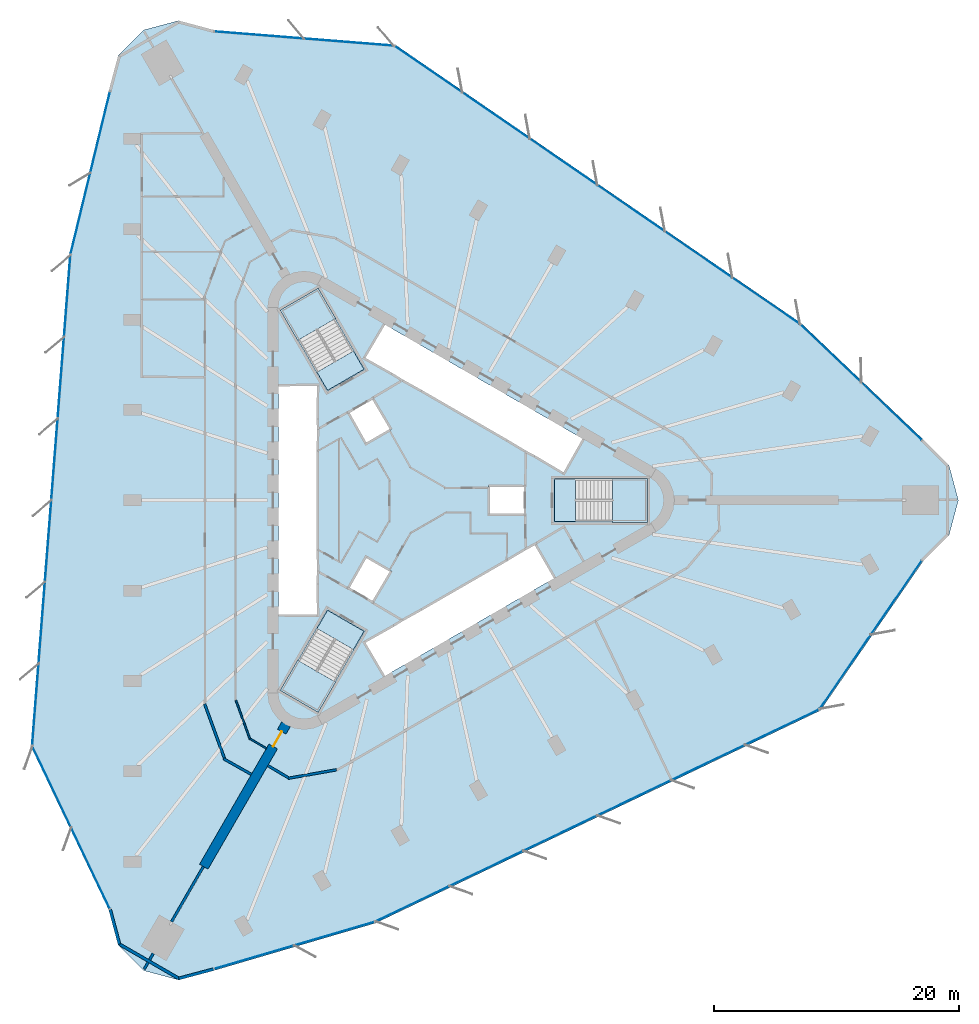
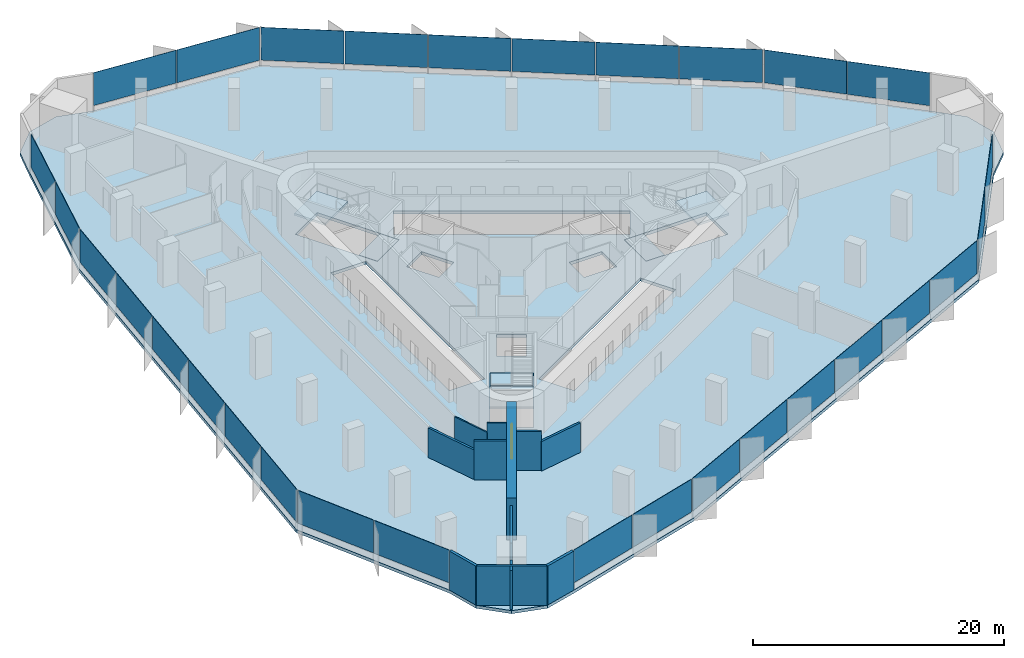
# One storey, part 8 of 14: 30 plates, 13 walls, 7 slabs, 1 door, 1 opening, 12 elements without a shape of their own.
"""IFC4 building model written with IfcOpenShell, lengths in metres."""

from ifc_helpers import new_model, si_unit, direction, frame, frame_2d, origin, origin_2d, place, context, subcontext, project, spatial, polyline, rectangle, outline, extrude, material, layer, layer_set, type_object, element, fill, aggregate, save


model = new_model("IFC4")

# Units and contexts
model_context = context("Model", 3, precision=1e-05, world=origin(), true_north=direction((0.0, 1.0)))
body_context = subcontext(model_context, "Body", "Model", "MODEL_VIEW")
ifc_project = project(units=[si_unit("LENGTHUNIT", "METRE"), si_unit("AREAUNIT", "SQUARE_METRE"), si_unit("VOLUMEUNIT", "CUBIC_METRE"), si_unit("PLANEANGLEUNIT", "RADIAN"), si_unit("MASSUNIT", "GRAM", prefix="KILO")], contexts=[model_context])

# Site, building, storey
site_placement = place(None, origin())
site = spatial("IfcSite", under=ifc_project, at=site_placement, CompositionType="ELEMENT")
building_placement = place(site_placement, origin())
building = spatial("IfcBuilding", under=site, at=building_placement, Name="Tanit Gate Tower", CompositionType="ELEMENT")
storey_placement = place(building_placement, frame((0.0, 0.0, 82.39990234375)))
storey = spatial("IfcBuildingStorey", under=building, at=storey_placement, Name="L16", CompositionType="ELEMENT", Elevation=82.39990234375)

# Slab
ifc_material_1 = material(Name="Concrete C35/45", Category="concrete")
ifc_layer_1 = layer(ifc_material_1, 0.300048828125)
ifc_layer_set_1 = layer_set([ifc_layer_1], Name="FLOOR SLAB 300 C35/45")
slab_type_1 = type_object("IfcSlabType", Name="FLOOR SLAB 300 C35/45", PredefinedType="FLOOR", material=ifc_layer_set_1)
slab_1_placement = place(storey_placement, frame((0.0, 0.0, -0.2998046875)))
element("IfcSlab", 1, at=slab_1_placement, inside=storey, type_object=slab_type_1, Name="FLOOR SLAB L16", PredefinedType="FLOOR", context=body_context, shape_type="SweptSolid", body=[
    extrude(outline(polyline([(41.55078125, 4.966796875), (43.64990234375, 2.86767578125), (44.41845703125, 0.0), (43.64990234375, -2.86767578125), (41.55078125, -4.966796875), (33.13671875, -17.19384765625), (-3.24462890625, -34.580810546875), (-16.473876953125, -38.46728515625), (-19.341552734375, -39.23583984375), (-22.209228515625, -38.46728515625), (-24.308349609375, -36.3681640625), (-25.076904296875, -33.50048828125), (-31.458740234375, -20.100341796875), (-28.32568359375, 20.100341796875), (-25.076904296875, 33.50048828125), (-24.308349609375, 36.3681640625), (-22.209228515625, 38.46728515625), (-19.341552734375, 39.23583984375), (-16.473876953125, 38.46728515625), (-1.677978515625, 37.294189453125), (31.5703125, 14.48046875), (41.55078125, 4.966796875)]), holes=[polyline([(11.3701171875, 1.72998046875), (18.929931640625, 1.72998046875), (18.929931640625, -1.72998046875), (11.3701171875, -1.72998046875), (11.3701171875, 1.72998046875)]), polyline([(-4.208984375, 11.60986328125), (-2.583984375, 14.424560546875), (13.783935546875, 4.974609375), (12.158935546875, 2.159912109375), (-4.208984375, 11.60986328125)]), polyline([(-4.208984375, -11.60986328125), (9.82080078125, -3.510009765625), (11.44580078125, -6.324462890625), (-2.583984375, -14.424560546875), (-4.208984375, -11.60986328125)]), polyline([(9.0, 1.199951171875), (9.0, -1.199951171875), (6.0, -1.199951171875), (6.0, 1.199951171875), (9.0, 1.199951171875)]), polyline([(-5.539306640625, 7.194091796875), (-3.460693359375, 8.394287109375), (-1.960693359375, 5.796142578125), (-4.039306640625, 4.59619140625), (-5.539306640625, 7.194091796875)]), polyline([(-1.960693359375, -5.796142578125), (-3.460693359375, -8.394287109375), (-5.539306640625, -7.194091796875), (-4.039306640625, -4.59619140625), (-1.960693359375, -5.796142578125)]), polyline([(-10.963134765625, 15.52880859375), (-7.966796875, 17.2587890625), (-4.186767578125, 10.711669921875), (-7.18310546875, 8.981689453125), (-10.963134765625, 15.52880859375)]), polyline([(-4.186767578125, -10.711669921875), (-7.966796875, -17.2587890625), (-10.963134765625, -15.52880859375), (-7.18310546875, -8.981689453125), (-4.186767578125, -10.711669921875)]), polyline([(-11.199951171875, -9.449951171875), (-11.199951171875, 9.449951171875), (-7.949951171875, 9.449951171875), (-7.949951171875, -9.449951171875), (-11.199951171875, -9.449951171875)])]), origin(), (0.0, 0.0, 1.0), 0.2998046875),
])

# Curtain wall, plates
ifc_material_2 = material(Name="Aluminium bronze anodised and glass", Category="aluminium")
curtain_wall_type = type_object("IfcCurtainWallType", Name="Curtain wall typical low", PredefinedType="NOTDEFINED", material=ifc_material_2)
curtain_wall_1_placement = place(storey_placement, origin())
curtain_wall_1 = element("IfcCurtainWall", 2, at=curtain_wall_1_placement, inside=storey, type_object=curtain_wall_type, Name="Curtain wall L16 NE1", PredefinedType="NOTDEFINED")
ifc_material_3 = material(Name="Glass tinted", Category="glass")
ifc_layer_2 = layer(ifc_material_3, 0.031982421875)
ifc_layer_set_2 = layer_set([ifc_layer_2], Name="Glass panel 32 typical low")
plate_type = type_object("IfcPlateType", Name="Glass panel 32 typical low", PredefinedType="CURTAIN_PANEL", material=ifc_layer_set_2)
plate_1_placement = place(storey_placement, frame((38.959228515625, 7.271240234375, 0.60009765625), z_axis=(0.0, 0.0, 1.0), x_axis=(-0.723833901773, 0.689974262306, 0.0)))
plate_1 = element("IfcPlate", 3, at=plate_1_placement, type_object=plate_type, Name="Glass panel L16 NE1.1", PredefinedType="CURTAIN_PANEL", context=body_context, shape_type="SweptSolid", body=[
    extrude(rectangle(XDim=6.768798828125, YDim=0.031982421875, at=origin_2d()), origin(), (0.0, 0.0, 1.0), 3.199951171875),
])
plate_2_placement = place(storey_placement, frame((34.001953125, 11.996826171875, 0.60009765625), z_axis=(0.0, 0.0, 1.0), x_axis=(-0.723833901773, 0.689974262306, 0.0)))
plate_2 = element("IfcPlate", 4, at=plate_2_placement, type_object=plate_type, Name="Glass panel L16 NE1.2", PredefinedType="CURTAIN_PANEL", context=body_context, shape_type="SweptSolid", body=[
    extrude(rectangle(XDim=6.768798828125, YDim=0.031982421875, at=origin_2d()), origin(), (0.0, 0.0, 1.0), 3.199951171875),
])
aggregate(curtain_wall_1, [plate_1, plate_2])

curtain_wall_2_placement = place(storey_placement, origin())
curtain_wall_2 = element("IfcCurtainWall", 5, at=curtain_wall_2_placement, inside=storey, type_object=curtain_wall_type, Name="Curtain wall L16 NE2", PredefinedType="NOTDEFINED")
plate_3_placement = place(storey_placement, frame((28.698974609375, 16.304931640625, 0.60009765625), z_axis=(0.0, 0.0, 1.0), x_axis=(-0.824556572821, 0.565779513784, 0.0)))
plate_3 = element("IfcPlate", 6, at=plate_3_placement, type_object=plate_type, Name="Glass panel L16 NE2.1", PredefinedType="CURTAIN_PANEL", context=body_context, shape_type="SweptSolid", body=[
    extrude(rectangle(XDim=6.6201171875, YDim=0.031982421875, at=origin_2d()), origin(), (0.0, 0.0, 1.0), 3.199951171875),
])
plate_4_placement = place(storey_placement, frame((23.17431640625, 20.095947265625, 0.60009765625), z_axis=(0.0, 0.0, 1.0), x_axis=(-0.824556572821, 0.565779513784, 0.0)))
plate_4 = element("IfcPlate", 7, at=plate_4_placement, type_object=plate_type, Name="Glass panel L16 NE2.2", PredefinedType="CURTAIN_PANEL", context=body_context, shape_type="SweptSolid", body=[
    extrude(rectangle(XDim=6.6201171875, YDim=0.031982421875, at=origin_2d()), origin(), (0.0, 0.0, 1.0), 3.199951171875),
])
plate_5_placement = place(storey_placement, frame((17.64990234375, 23.88671875, 0.60009765625), z_axis=(0.0, 0.0, 1.0), x_axis=(-0.824556572821, 0.565779513784, 0.0)))
plate_5 = element("IfcPlate", 8, at=plate_5_placement, type_object=plate_type, Name="Glass panel L16 NE2.3", PredefinedType="CURTAIN_PANEL", context=body_context, shape_type="SweptSolid", body=[
    extrude(rectangle(XDim=6.6201171875, YDim=0.031982421875, at=origin_2d()), origin(), (0.0, 0.0, 1.0), 3.199951171875),
])
plate_6_placement = place(storey_placement, frame((12.125244140625, 27.677490234375, 0.60009765625), z_axis=(0.0, 0.0, 1.0), x_axis=(-0.824556572821, 0.565779513784, 0.0)))
plate_6 = element("IfcPlate", 9, at=plate_6_placement, type_object=plate_type, Name="Glass panel L16 NE2.4", PredefinedType="CURTAIN_PANEL", context=body_context, shape_type="SweptSolid", body=[
    extrude(rectangle(XDim=6.6201171875, YDim=0.031982421875, at=origin_2d()), origin(), (0.0, 0.0, 1.0), 3.199951171875),
])
plate_7_placement = place(storey_placement, frame((6.6005859375, 31.46826171875, 0.60009765625), z_axis=(0.0, 0.0, 1.0), x_axis=(-0.824556572821, 0.565779513784, 0.0)))
plate_7 = element("IfcPlate", 10, at=plate_7_placement, type_object=plate_type, Name="Glass panel L16 NE2.5", PredefinedType="CURTAIN_PANEL", context=body_context, shape_type="SweptSolid", body=[
    extrude(rectangle(XDim=6.6201171875, YDim=0.031982421875, at=origin_2d()), origin(), (0.0, 0.0, 1.0), 3.199951171875),
])
plate_8_placement = place(storey_placement, frame((1.075927734375, 35.259033203125, 0.60009765625), z_axis=(0.0, 0.0, 1.0), x_axis=(-0.824556572821, 0.565779513784, 0.0)))
plate_8 = element("IfcPlate", 11, at=plate_8_placement, type_object=plate_type, Name="Glass panel L16 NE2.6", PredefinedType="CURTAIN_PANEL", context=body_context, shape_type="SweptSolid", body=[
    extrude(rectangle(XDim=6.6201171875, YDim=0.031982421875, at=origin_2d()), origin(), (0.0, 0.0, 1.0), 3.199951171875),
])
aggregate(curtain_wall_2, [plate_3, plate_4, plate_5, plate_6, plate_7, plate_8])

curtain_wall_3_placement = place(storey_placement, origin())
curtain_wall_3 = element("IfcCurtainWall", 12, at=curtain_wall_3_placement, inside=storey, type_object=curtain_wall_type, Name="Curtain wall L16 NE3", PredefinedType="NOTDEFINED")
plate_9_placement = place(storey_placement, frame((-5.43310546875, 37.4716796875, 0.60009765625), z_axis=(0.0, 0.0, 1.0), x_axis=(-0.99687105921, 0.079044868964, 0.0)))
plate_9 = element("IfcPlate", 13, at=plate_9_placement, type_object=plate_type, Name="Glass panel L16 NE3.1", PredefinedType="CURTAIN_PANEL", context=body_context, shape_type="SweptSolid", body=[
    extrude(rectangle(XDim=7.29052734375, YDim=0.031982421875, at=origin_2d()), origin(), (0.0, 0.0, 1.0), 3.199951171875),
])
plate_10_placement = place(storey_placement, frame((-12.78076171875, 38.05419921875, 0.60009765625), z_axis=(0.0, 0.0, 1.0), x_axis=(-0.99687105921, 0.079044868964, 0.0)))
plate_10 = element("IfcPlate", 14, at=plate_10_placement, type_object=plate_type, Name="Glass panel L16 NE3.2", PredefinedType="CURTAIN_PANEL", context=body_context, shape_type="SweptSolid", body=[
    extrude(rectangle(XDim=7.290771484375, YDim=0.031982421875, at=origin_2d()), origin(), (0.0, 0.0, 1.0), 3.199951171875),
])
aggregate(curtain_wall_3, [plate_9, plate_10])

curtain_wall_4_placement = place(storey_placement, origin())
curtain_wall_4 = element("IfcCurtainWall", 15, at=curtain_wall_4_placement, inside=storey, type_object=curtain_wall_type, Name="Curtain wall L16 W1", PredefinedType="NOTDEFINED")
plate_11_placement = place(storey_placement, frame((-25.77685546875, 30.10400390625, 0.60009765625), z_axis=(0.0, 0.0, 1.0), x_axis=(-0.235618288228, -0.971845678209, 0.0)))
plate_11 = element("IfcPlate", 16, at=plate_11_placement, type_object=plate_type, Name="Glass panel L16 W1.1", PredefinedType="CURTAIN_PANEL", context=body_context, shape_type="SweptSolid", body=[
    extrude(rectangle(XDim=6.768798828125, YDim=0.031982421875, at=origin_2d()), origin(), (0.0, 0.0, 1.0), 3.199951171875),
])
plate_12_placement = place(storey_placement, frame((-27.390380859375, 23.4482421875, 0.60009765625), z_axis=(0.0, 0.0, 1.0), x_axis=(-0.235618288228, -0.971845678209, 0.0)))
plate_12 = element("IfcPlate", 17, at=plate_12_placement, type_object=plate_type, Name="Glass panel L16 W1.2", PredefinedType="CURTAIN_PANEL", context=body_context, shape_type="SweptSolid", body=[
    extrude(rectangle(XDim=6.768798828125, YDim=0.031982421875, at=origin_2d()), origin(), (0.0, 0.0, 1.0), 3.199951171875),
])
aggregate(curtain_wall_4, [plate_11, plate_12])

curtain_wall_5_placement = place(storey_placement, origin())
curtain_wall_5 = element("IfcCurtainWall", 18, at=curtain_wall_5_placement, inside=storey, type_object=curtain_wall_type, Name="Curtain wall L16 W2", PredefinedType="NOTDEFINED")
plate_13_placement = place(storey_placement, frame((-28.47021484375, 16.70166015625, 0.60009765625), z_axis=(0.0, 0.0, 1.0), x_axis=(-0.077701145467, -0.996976695812, 0.0)))
plate_13 = element("IfcPlate", 19, at=plate_13_placement, type_object=plate_type, Name="Glass panel L16 W2.1", PredefinedType="CURTAIN_PANEL", context=body_context, shape_type="SweptSolid", body=[
    extrude(rectangle(XDim=6.6201171875, YDim=0.031982421875, at=origin_2d()), origin(), (0.0, 0.0, 1.0), 3.199951171875),
])
plate_14_placement = place(storey_placement, frame((-28.99072265625, 10.021728515625, 0.60009765625), z_axis=(0.0, 0.0, 1.0), x_axis=(-0.077701145467, -0.996976695812, 0.0)))
plate_14 = element("IfcPlate", 20, at=plate_14_placement, type_object=plate_type, Name="Glass panel L16 W2.2", PredefinedType="CURTAIN_PANEL", context=body_context, shape_type="SweptSolid", body=[
    extrude(rectangle(XDim=6.6201171875, YDim=0.031982421875, at=origin_2d()), origin(), (0.0, 0.0, 1.0), 3.199951171875),
])
plate_15_placement = place(storey_placement, frame((-29.51123046875, 3.341796875, 0.60009765625), z_axis=(0.0, 0.0, 1.0), x_axis=(-0.077701145467, -0.996976695812, 0.0)))
plate_15 = element("IfcPlate", 21, at=plate_15_placement, type_object=plate_type, Name="Glass panel L16 W2.3", PredefinedType="CURTAIN_PANEL", context=body_context, shape_type="SweptSolid", body=[
    extrude(rectangle(XDim=6.6201171875, YDim=0.031982421875, at=origin_2d()), origin(), (0.0, 0.0, 1.0), 3.199951171875),
])
plate_16_placement = place(storey_placement, frame((-30.031982421875, -3.338134765625, 0.60009765625), z_axis=(0.0, 0.0, 1.0), x_axis=(-0.077701145467, -0.996976695812, 0.0)))
plate_16 = element("IfcPlate", 22, at=plate_16_placement, type_object=plate_type, Name="Glass panel L16 W2.4", PredefinedType="CURTAIN_PANEL", context=body_context, shape_type="SweptSolid", body=[
    extrude(rectangle(XDim=6.6201171875, YDim=0.031982421875, at=origin_2d()), origin(), (0.0, 0.0, 1.0), 3.199951171875),
])
plate_17_placement = place(storey_placement, frame((-30.552490234375, -10.01806640625, 0.60009765625), z_axis=(0.0, 0.0, 1.0), x_axis=(-0.077701145467, -0.996976695812, 0.0)))
plate_17 = element("IfcPlate", 23, at=plate_17_placement, type_object=plate_type, Name="Glass panel L16 W2.5", PredefinedType="CURTAIN_PANEL", context=body_context, shape_type="SweptSolid", body=[
    extrude(rectangle(XDim=6.6201171875, YDim=0.031982421875, at=origin_2d()), origin(), (0.0, 0.0, 1.0), 3.199951171875),
])
plate_18_placement = place(storey_placement, frame((-31.0732421875, -16.69775390625, 0.60009765625), z_axis=(0.0, 0.0, 1.0), x_axis=(-0.077701145467, -0.996976695812, 0.0)))
plate_18 = element("IfcPlate", 24, at=plate_18_placement, type_object=plate_type, Name="Glass panel L16 W2.6", PredefinedType="CURTAIN_PANEL", context=body_context, shape_type="SweptSolid", body=[
    extrude(rectangle(XDim=6.6201171875, YDim=0.031982421875, at=origin_2d()), origin(), (0.0, 0.0, 1.0), 3.199951171875),
])
aggregate(curtain_wall_5, [plate_13, plate_14, plate_15, plate_16, plate_17, plate_18])

curtain_wall_6_placement = place(storey_placement, origin())
curtain_wall_6 = element("IfcCurtainWall", 25, at=curtain_wall_6_placement, inside=storey, type_object=curtain_wall_type, Name="Curtain wall L16 W3", PredefinedType="NOTDEFINED")
plate_19_placement = place(storey_placement, frame((-29.73486328125, -23.44091796875, 0.60009765625), z_axis=(0.0, 0.0, 1.0), x_axis=(0.429980665043, -0.902838096055, 0.0)))
plate_19 = element("IfcPlate", 26, at=plate_19_placement, type_object=plate_type, Name="Glass panel L16 W3.1", PredefinedType="CURTAIN_PANEL", context=body_context, shape_type="SweptSolid", body=[
    extrude(rectangle(XDim=7.29052734375, YDim=0.031982421875, at=origin_2d()), origin(), (0.0, 0.0, 1.0), 3.199951171875),
])
plate_20_placement = place(storey_placement, frame((-26.5654296875, -30.095458984375, 0.60009765625), z_axis=(0.0, 0.0, 1.0), x_axis=(0.429980665043, -0.902838096055, 0.0)))
plate_20 = element("IfcPlate", 27, at=plate_20_placement, type_object=plate_type, Name="Glass panel L16 W3.2", PredefinedType="CURTAIN_PANEL", context=body_context, shape_type="SweptSolid", body=[
    extrude(rectangle(XDim=7.290771484375, YDim=0.031982421875, at=origin_2d()), origin(), (0.0, 0.0, 1.0), 3.199951171875),
])
aggregate(curtain_wall_6, [plate_19, plate_20])

curtain_wall_7_placement = place(storey_placement, origin())
curtain_wall_7 = element("IfcCurtainWall", 28, at=curtain_wall_7_placement, inside=storey, type_object=curtain_wall_type, Name="Curtain wall L16 SE1", PredefinedType="NOTDEFINED")
plate_21_placement = place(storey_placement, frame((-13.1826171875, -37.37548828125, 0.60009765625), z_axis=(0.0, 0.0, 1.0), x_axis=(0.959452190001, 0.281871415903, 0.0)))
plate_21 = element("IfcPlate", 29, at=plate_21_placement, type_object=plate_type, Name="Glass panel L16 SE1.1", PredefinedType="CURTAIN_PANEL", context=body_context, shape_type="SweptSolid", body=[
    extrude(rectangle(XDim=6.768798828125, YDim=0.031982421875, at=origin_2d()), origin(), (0.0, 0.0, 1.0), 3.199951171875),
])
plate_22_placement = place(storey_placement, frame((-6.611572265625, -35.44482421875, 0.60009765625), z_axis=(0.0, 0.0, 1.0), x_axis=(0.959452190001, 0.281871415903, 0.0)))
plate_22 = element("IfcPlate", 30, at=plate_22_placement, type_object=plate_type, Name="Glass panel L16 SE1.2", PredefinedType="CURTAIN_PANEL", context=body_context, shape_type="SweptSolid", body=[
    extrude(rectangle(XDim=6.768798828125, YDim=0.031982421875, at=origin_2d()), origin(), (0.0, 0.0, 1.0), 3.199951171875),
])
aggregate(curtain_wall_7, [plate_21, plate_22])

curtain_wall_8_placement = place(storey_placement, origin())
curtain_wall_8 = element("IfcCurtainWall", 31, at=curtain_wall_8_placement, inside=storey, type_object=curtain_wall_type, Name="Curtain wall L16 SE2", PredefinedType="NOTDEFINED")
plate_23_placement = place(storey_placement, frame((-0.22900390625, -33.006591796875, 0.60009765625), z_axis=(0.0, 0.0, 1.0), x_axis=(0.902257718288, 0.431197182029, 0.0)))
plate_23 = element("IfcPlate", 32, at=plate_23_placement, type_object=plate_type, Name="Glass panel L16 SE2.1", PredefinedType="CURTAIN_PANEL", context=body_context, shape_type="SweptSolid", body=[
    extrude(rectangle(XDim=6.6201171875, YDim=0.031982421875, at=origin_2d()), origin(), (0.0, 0.0, 1.0), 3.199951171875),
])
plate_24_placement = place(storey_placement, frame((5.81640625, -30.11767578125, 0.60009765625), z_axis=(0.0, 0.0, 1.0), x_axis=(0.902257718288, 0.431197182029, 0.0)))
plate_24 = element("IfcPlate", 33, at=plate_24_placement, type_object=plate_type, Name="Glass panel L16 SE2.2", PredefinedType="CURTAIN_PANEL", context=body_context, shape_type="SweptSolid", body=[
    extrude(rectangle(XDim=6.6201171875, YDim=0.031982421875, at=origin_2d()), origin(), (0.0, 0.0, 1.0), 3.199951171875),
])
plate_25_placement = place(storey_placement, frame((11.861572265625, -27.228515625, 0.60009765625), z_axis=(0.0, 0.0, 1.0), x_axis=(0.902257718288, 0.431197182029, 0.0)))
plate_25 = element("IfcPlate", 34, at=plate_25_placement, type_object=plate_type, Name="Glass panel L16 SE2.3", PredefinedType="CURTAIN_PANEL", context=body_context, shape_type="SweptSolid", body=[
    extrude(rectangle(XDim=6.6201171875, YDim=0.031982421875, at=origin_2d()), origin(), (0.0, 0.0, 1.0), 3.199951171875),
])
plate_26_placement = place(storey_placement, frame((17.90673828125, -24.33935546875, 0.60009765625), z_axis=(0.0, 0.0, 1.0), x_axis=(0.902257718288, 0.431197182029, 0.0)))
plate_26 = element("IfcPlate", 35, at=plate_26_placement, type_object=plate_type, Name="Glass panel L16 SE2.4", PredefinedType="CURTAIN_PANEL", context=body_context, shape_type="SweptSolid", body=[
    extrude(rectangle(XDim=6.6201171875, YDim=0.031982421875, at=origin_2d()), origin(), (0.0, 0.0, 1.0), 3.199951171875),
])
plate_27_placement = place(storey_placement, frame((23.9521484375, -21.450439453125, 0.60009765625), z_axis=(0.0, 0.0, 1.0), x_axis=(0.902257718288, 0.431197182029, 0.0)))
plate_27 = element("IfcPlate", 36, at=plate_27_placement, type_object=plate_type, Name="Glass panel L16 SE2.5", PredefinedType="CURTAIN_PANEL", context=body_context, shape_type="SweptSolid", body=[
    extrude(rectangle(XDim=6.6201171875, YDim=0.031982421875, at=origin_2d()), origin(), (0.0, 0.0, 1.0), 3.199951171875),
])
plate_28_placement = place(storey_placement, frame((29.997314453125, -18.561279296875, 0.60009765625), z_axis=(0.0, 0.0, 1.0), x_axis=(0.902257718288, 0.431197182029, 0.0)))
plate_28 = element("IfcPlate", 37, at=plate_28_placement, type_object=plate_type, Name="Glass panel L16 SE2.6", PredefinedType="CURTAIN_PANEL", context=body_context, shape_type="SweptSolid", body=[
    extrude(rectangle(XDim=6.6201171875, YDim=0.031982421875, at=origin_2d()), origin(), (0.0, 0.0, 1.0), 3.199951171875),
])
aggregate(curtain_wall_8, [plate_23, plate_24, plate_25, plate_26, plate_27, plate_28])

curtain_wall_9_placement = place(storey_placement, origin())
curtain_wall_9 = element("IfcCurtainWall", 38, at=curtain_wall_9_placement, inside=storey, type_object=curtain_wall_type, Name="Curtain wall L16 SE3", PredefinedType="NOTDEFINED")
plate_29_placement = place(storey_placement, frame((35.16796875, -14.030517578125, 0.60009765625), z_axis=(0.0, 0.0, 1.0), x_axis=(0.566890394167, 0.823793227091, 0.0)))
plate_29 = element("IfcPlate", 39, at=plate_29_placement, type_object=plate_type, Name="Glass panel L16 SE3.1", PredefinedType="CURTAIN_PANEL", context=body_context, shape_type="SweptSolid", body=[
    extrude(rectangle(XDim=7.29052734375, YDim=0.031982421875, at=origin_2d()), origin(), (0.0, 0.0, 1.0), 3.199951171875),
])
plate_30_placement = place(storey_placement, frame((39.34619140625, -7.958740234375, 0.60009765625), z_axis=(0.0, 0.0, 1.0), x_axis=(0.566890394167, 0.823793227091, 0.0)))
plate_30 = element("IfcPlate", 40, at=plate_30_placement, type_object=plate_type, Name="Glass panel L16 SE3.2", PredefinedType="CURTAIN_PANEL", context=body_context, shape_type="SweptSolid", body=[
    extrude(rectangle(XDim=7.290771484375, YDim=0.031982421875, at=origin_2d()), origin(), (0.0, 0.0, 1.0), 3.199951171875),
])
aggregate(curtain_wall_9, [plate_29, plate_30])

# Stair, slab
ifc_material_4 = material(Name="Concrete C40/50", Category="concrete")
stair_type = type_object("IfcStairType", Name="INT-STAIR-EXIT", PredefinedType="HALF_TURN_STAIR", material=ifc_material_4)
stair_1_placement = place(storey_placement, origin())
stair_1 = element("IfcStair", 41, at=stair_1_placement, inside=storey, type_object=stair_type, Name="L16 STAIR S1", PredefinedType="HALF_TURN_STAIR")
ifc_material_5 = material(Name="Concrete C40/50", Category="concrete")
ifc_layer_3 = layer(ifc_material_5, 0.199951171875)
ifc_layer_set_3 = layer_set([ifc_layer_3], Name="INT-STAIR-LANDING")
slab_type_2 = type_object("IfcSlabType", Name="INT-STAIR-LANDING", PredefinedType="LANDING", material=ifc_layer_set_3)
slab_2_placement = place(storey_placement, frame((0.0, 0.0, 1.85009765625)))
slab_2 = element("IfcSlab", 42, at=slab_2_placement, type_object=slab_type_2, Name="S1 landing 1", PredefinedType="LANDING", context=body_context, shape_type="SweptSolid", body=[
    extrude(outline(polyline([(16.135986328125, -1.800048828125), (19.0, -1.800048828125), (19.0, 1.800048828125), (16.135986328125, 1.800048828125), (16.135986328125, -1.800048828125)])), origin(), (0.0, 0.0, 1.0), 0.199951171875),
])
aggregate(stair_1, [slab_2])

# Slab
slab_3_placement = place(storey_placement, frame((0.0, 0.0, -0.199951171875)))
element("IfcSlab", 43, at=slab_3_placement, inside=storey, type_object=slab_type_2, Name="S1 floor landing", PredefinedType="LANDING", context=body_context, shape_type="SweptSolid", body=[
    extrude(outline(polyline([(11.3798828125, -1.719970703125), (13.10498046875, -1.719970703125), (13.10498046875, 1.719970703125), (11.3798828125, 1.719970703125), (11.3798828125, -1.719970703125)])), origin(), (0.0, 0.0, 1.0), 0.199951171875),
])

# Stair, slab
stair_2_placement = place(storey_placement, origin())
stair_2 = element("IfcStair", 44, at=stair_2_placement, inside=storey, type_object=stair_type, Name="L16 STAIR S2", PredefinedType="HALF_TURN_STAIR")
slab_4_placement = place(storey_placement, frame((0.0, 0.0, 1.85009765625)))
slab_4 = element("IfcSlab", 45, at=slab_4_placement, type_object=slab_type_2, Name="S2 landing 1", PredefinedType="LANDING", context=body_context, shape_type="SweptSolid", body=[
    extrude(outline(polyline([(-6.5078125, 14.871826171875), (-7.941162109375, 17.3544921875), (-11.058837890625, 15.554443359375), (-9.62548828125, 13.07177734375), (-6.5078125, 14.871826171875)])), origin(), (0.0, 0.0, 1.0), 0.199951171875),
])
aggregate(stair_2, [slab_4])

# Slab
slab_5_placement = place(storey_placement, frame((0.0, 0.0, -0.199951171875)))
element("IfcSlab", 46, at=slab_5_placement, inside=storey, type_object=slab_type_2, Name="S2 floor landing", PredefinedType="LANDING", context=body_context, shape_type="SweptSolid", body=[
    extrude(outline(polyline([(-4.200439453125, 10.71533203125), (-5.0625, 12.20849609375), (-8.04150390625, 10.48828125), (-7.179443359375, 8.995361328125), (-4.200439453125, 10.71533203125)])), origin(), (0.0, 0.0, 1.0), 0.199951171875),
])

# Stair, slab
stair_3_placement = place(storey_placement, origin())
stair_3 = element("IfcStair", 47, at=stair_3_placement, inside=storey, type_object=stair_type, Name="L16 STAIR S3", PredefinedType="HALF_TURN_STAIR")
slab_6_placement = place(storey_placement, frame((0.0, 0.0, 1.85009765625)))
slab_6 = element("IfcSlab", 48, at=slab_6_placement, type_object=slab_type_2, Name="S3 landing 1", PredefinedType="LANDING", context=body_context, shape_type="SweptSolid", body=[
    extrude(outline(polyline([(-9.626953125, -13.07421875), (-11.058837890625, -15.554443359375), (-7.941162109375, -17.3544921875), (-6.509033203125, -14.874267578125), (-9.626953125, -13.07421875)])), origin(), (0.0, 0.0, 1.0), 0.199951171875),
])
aggregate(stair_3, [slab_6])

# Slab
slab_7_placement = place(storey_placement, frame((0.0, 0.0, -0.199951171875)))
element("IfcSlab", 49, at=slab_7_placement, inside=storey, type_object=slab_type_2, Name="S3 floor landing", PredefinedType="LANDING", context=body_context, shape_type="SweptSolid", body=[
    extrude(outline(polyline([(-7.179443359375, -8.995361328125), (-8.0419921875, -10.4892578125), (-5.06298828125, -12.209228515625), (-4.200439453125, -10.71533203125), (-7.179443359375, -8.995361328125)])), origin(), (0.0, 0.0, 1.0), 0.199951171875),
])

# Wall, opening, door
ifc_material_6 = material(Name="Concrete C60/75", Category="concrete")
ifc_layer_4 = layer(ifc_material_6, 0.800048828125)
ifc_layer_set_4 = layer_set([ifc_layer_4], Name="BUTTRESS FIN 800 C60/75")
wall_type_1 = type_object("IfcWallType", Name="BUTTRESS FIN 800 C60/75", PredefinedType="SHEAR", material=ifc_layer_set_4)
wall_1_placement = place(storey_placement, frame((-10.574951171875, -18.31640625, 0.0), z_axis=(0.0, 0.0, 1.0), x_axis=(-0.499995223427, -0.866028161523, 0.0)))
wall_1 = element("IfcWall", 50, at=wall_1_placement, inside=storey, type_object=wall_type_1, Name="BUTTRESS FIN", PredefinedType="SHEAR", context=body_context, shape_type="SweptSolid", body=[
    extrude(rectangle(XDim=13.455322265625, YDim=0.800048828125, at=frame_2d((6.7275390625, 0.0))), origin(), (0.0, 0.0, 1.0), 4.10009765625),
])
opening_placement = place(wall_1_placement, frame((0.699951171875, 0.0, 0.0)))
opening = element("IfcOpeningElement", 51, at=opening_placement, cuts=wall_1, Name="Opening P14-S03-F-SW-1", PredefinedType="OPENING", context=body_context, shape_type="SweptSolid", body=[
    extrude(rectangle(XDim=1.39990234375, YDim=2.39990234375, at=frame_2d((0.699951171875, 1.199951171875))), frame((0.0, 0.41015625, 0.0), z_axis=(0.0, -1.0, 0.0), x_axis=(1.0, 0.0, 0.0)), (0.0, 0.0, 1.0), 0.820068359375),
])
ifc_material_7 = material(Name="Timber door leaf", Category="wood")
door_type = type_object("IfcDoorType", Name="INT-DOOR-FIN-PAIR-1400", OperationType="NOTDEFINED", PredefinedType="NOTDEFINED", material=ifc_material_7)
door_placement = place(opening_placement, origin())
door = element("IfcDoor", 52, at=door_placement, inside=storey, type_object=door_type, Name="Door P14-S03-F-SW-1", OperationType="DOUBLE_DOOR_SINGLE_SWING", OverallHeight=2.39990234375, OverallWidth=1.39990234375, PredefinedType="NOTDEFINED", context=body_context, shape_type="SweptSolid", body=[
    extrude(rectangle(XDim=1.39990234375, YDim=2.39990234375, at=frame_2d((0.699951171875, 1.199951171875))), frame((0.0, 0.02490234375, 0.0), z_axis=(0.0, -1.0, 0.0), x_axis=(1.0, 0.0, 0.0)), (0.0, 0.0, 1.0), 0.050048828125),
])
fill(opening, door)

# Walls
ifc_material_8 = material(Name="Concrete C30/37 with bronze anodised aluminium cladding", Category="concrete")
ifc_layer_5 = layer(ifc_material_8, 0.239990234375)
ifc_layer_set_5 = layer_set([ifc_layer_5], Name="Facade wall bronze clad 240")
wall_type_2 = type_object("IfcWallType", Name="Facade wall bronze clad 240", PredefinedType="SOLIDWALL", material=ifc_layer_set_5)
wall_2_placement = place(storey_placement, frame((-24.963623046875, -33.458984375, 0.0), z_axis=(0.0, 0.0, 1.0), x_axis=(0.25875540601, -0.965942876086, 0.0)))
element("IfcWall", 53, at=wall_2_placement, inside=storey, type_object=wall_type_2, Name="Bronze-clad facade wall L16 SW.arc1", PredefinedType="SOLIDWALL", context=body_context, shape_type="SweptSolid", body=[
    extrude(rectangle(XDim=2.947509765625, YDim=0.239990234375, at=frame_2d((1.4736328125, 0.0))), origin(), (0.0, 0.0, 1.0), 3.800048828125),
])
wall_3_placement = place(storey_placement, frame((-24.200927734375, -36.30615234375, 0.0), z_axis=(0.0, 0.0, 1.0), x_axis=(0.866036326607, -0.499981080639, 0.0)))
element("IfcWall", 54, at=wall_3_placement, inside=storey, type_object=wall_type_2, Name="Bronze-clad facade wall L16 SW.arc2", PredefinedType="SOLIDWALL", context=body_context, shape_type="SweptSolid", body=[
    extrude(rectangle(XDim=5.611083984375, YDim=0.239990234375, at=frame_2d((2.8056640625, 0.0))), origin(), (0.0, 0.0, 1.0), 3.800048828125),
])
wall_4_placement = place(storey_placement, frame((-19.341552734375, -39.111572265625, 0.0), z_axis=(0.0, 0.0, 1.0), x_axis=(0.965919462467, 0.258842794041, 0.0)))
element("IfcWall", 55, at=wall_4_placement, inside=storey, type_object=wall_type_2, Name="Bronze-clad facade wall L16 SW.arc3", PredefinedType="SOLIDWALL", context=body_context, shape_type="SweptSolid", body=[
    extrude(rectangle(XDim=2.935302734375, YDim=0.239990234375, at=frame_2d((1.4677734375, 0.0))), origin(), (0.0, 0.0, 1.0), 3.800048828125),
])
ifc_material_9 = material(Name="Fire-rated gypsum board partition")
ifc_layer_6 = layer(ifc_material_9, 0.199951171875)
ifc_layer_set_6 = layer_set([ifc_layer_6], Name="INT-WALL-COMPARTMENT")
wall_type_3 = type_object("IfcWallType", Name="INT-WALL-COMPARTMENT", PredefinedType="PARTITIONING", material=ifc_layer_set_6)
wall_5_placement = place(storey_placement, frame((-15.679443359375, -21.139892578125, 0.0), z_axis=(0.0, 0.0, 1.0), x_axis=(0.871170402172, -0.490980784124, 0.0)))
element("IfcWall", 56, at=wall_5_placement, inside=storey, type_object=wall_type_3, Name="Wall Compartment W089", PredefinedType="PARTITIONING", context=body_context, shape_type="SweptSolid", body=[
    extrude(rectangle(XDim=2.609130859375, YDim=0.199951171875, at=frame_2d((1.3046875, 0.0))), origin(), (0.0, 0.0, 1.0), 3.800048828125),
])
wall_6_placement = place(storey_placement, frame((-17.234130859375, -16.646240234375, 0.0), z_axis=(0.0, 0.0, 1.0), x_axis=(0.342004731639, -0.939698230038, 0.0)))
element("IfcWall", 57, at=wall_6_placement, inside=storey, type_object=wall_type_3, Name="Wall Compartment W090", PredefinedType="PARTITIONING", context=body_context, shape_type="SweptSolid", body=[
    extrude(rectangle(XDim=4.794189453125, YDim=0.199951171875, at=frame_2d((2.39697265625, 0.0))), origin(), (0.0, 0.0, 1.0), 2.880126953125),
])
wall_7_placement = place(storey_placement, frame((-10.442626953125, -22.7470703125, 0.0), z_axis=(0.0, 0.0, 1.0), x_axis=(0.984812020794, 0.173623972133, 0.0)))
element("IfcWall", 58, at=wall_7_placement, inside=storey, type_object=wall_type_3, Name="Wall Compartment W105", PredefinedType="PARTITIONING", context=body_context, shape_type="SweptSolid", body=[
    extrude(rectangle(XDim=4.056640625, YDim=0.199951171875, at=frame_2d((2.0283203125, 0.0))), origin(), (0.0, 0.0, 1.0), 2.880126953125),
])
wall_8_placement = place(storey_placement, frame((-12.064208984375, -21.69580078125, 0.0), z_axis=(0.0, 0.0, 1.0), x_axis=(0.859769731383, -0.510681905885, 0.0)))
element("IfcWall", 59, at=wall_8_placement, inside=storey, type_object=wall_type_3, Name="Wall Compartment W106", PredefinedType="PARTITIONING", context=body_context, shape_type="SweptSolid", body=[
    extrude(rectangle(XDim=1.97021484375, YDim=0.199951171875, at=frame_2d((0.985107421875, 0.0))), origin(), (0.0, 0.0, 1.0), 3.800048828125),
])
wall_9_placement = place(storey_placement, frame((-22.1689453125, -38.337890625, 0.0), z_axis=(0.0, 0.0, 1.0), x_axis=(0.499970989427, 0.866042152399, 0.0)))
element("IfcWall", 60, at=wall_9_placement, inside=storey, type_object=wall_type_3, Name="Wall Compartment W109", PredefinedType="PARTITIONING", context=body_context, shape_type="SweptSolid", body=[
    extrude(rectangle(XDim=0.62353515625, YDim=0.199951171875, at=frame_2d((0.311767578125, 0.0))), origin(), (0.0, 0.0, 1.0), 3.800048828125),
])
wall_10_placement = place(storey_placement, frame((-21.737060546875, -37.58984375, 0.0), z_axis=(0.0, 0.0, 1.0), x_axis=(0.499920697567, 0.866071184225, 0.0)))
element("IfcWall", 61, at=wall_10_placement, inside=storey, type_object=wall_type_3, Name="Wall Compartment W109x1", PredefinedType="PARTITIONING", context=body_context, shape_type="SweptSolid", body=[
    extrude(rectangle(XDim=0.60400390625, YDim=0.199951171875, at=frame_2d((0.302001953125, 0.0))), origin(), (0.0, 0.0, 1.0), 3.800048828125),
])
wall_11_placement = place(storey_placement, frame((-19.93505859375, -34.46875, 0.0), z_axis=(0.0, 0.0, 1.0), x_axis=(0.49998731371, 0.866032728093, 0.0)))
element("IfcWall", 62, at=wall_11_placement, inside=storey, type_object=wall_type_3, Name="Wall Compartment W110", PredefinedType="PARTITIONING", context=body_context, shape_type="SweptSolid", body=[
    extrude(rectangle(XDim=5.213134765625, YDim=0.199951171875, at=frame_2d((2.6064453125, 0.0))), origin(), (0.0, 0.0, 1.0), 3.3701171875),
])
ifc_material_10 = material(Name="Gypsum board partition")
ifc_layer_7 = layer(ifc_material_10, 0.1201171875)
ifc_layer_set_7 = layer_set([ifc_layer_7], Name="INT-WALL-PARTITION")
wall_type_4 = type_object("IfcWallType", Name="INT-WALL-PARTITION", PredefinedType="PARTITIONING", material=ifc_layer_set_7)
wall_12_placement = place(storey_placement, frame((-14.679443359375, -16.35595703125, 0.0), z_axis=(0.0, 0.0, 1.0), x_axis=(0.342002052592, -0.939699205077, 0.0)))
element("IfcWall", 63, at=wall_12_placement, inside=storey, type_object=wall_type_4, Name="Wall Partition W087", PredefinedType="PARTITIONING", context=body_context, shape_type="SweptSolid", body=[
    extrude(rectangle(XDim=3.40576171875, YDim=0.1201171875, at=frame_2d((1.702880859375, 0.0))), origin(), (0.0, 0.0, 1.0), 2.880126953125),
])
wall_13_placement = place(storey_placement, frame((-13.51611328125, -19.501220703125, 0.0), z_axis=(0.0, 0.0, 1.0), x_axis=(0.858336816023, -0.513086649856, 0.0)))
element("IfcWall", 64, at=wall_13_placement, inside=storey, type_object=wall_type_4, Name="Wall Partition W088", PredefinedType="PARTITIONING", context=body_context, shape_type="SweptSolid", body=[
    extrude(rectangle(XDim=1.554931640625, YDim=0.1201171875, at=frame_2d((0.77734375, 0.0))), origin(), (0.0, 0.0, 1.0), 3.800048828125),
])

save(model, "model.ifc")
